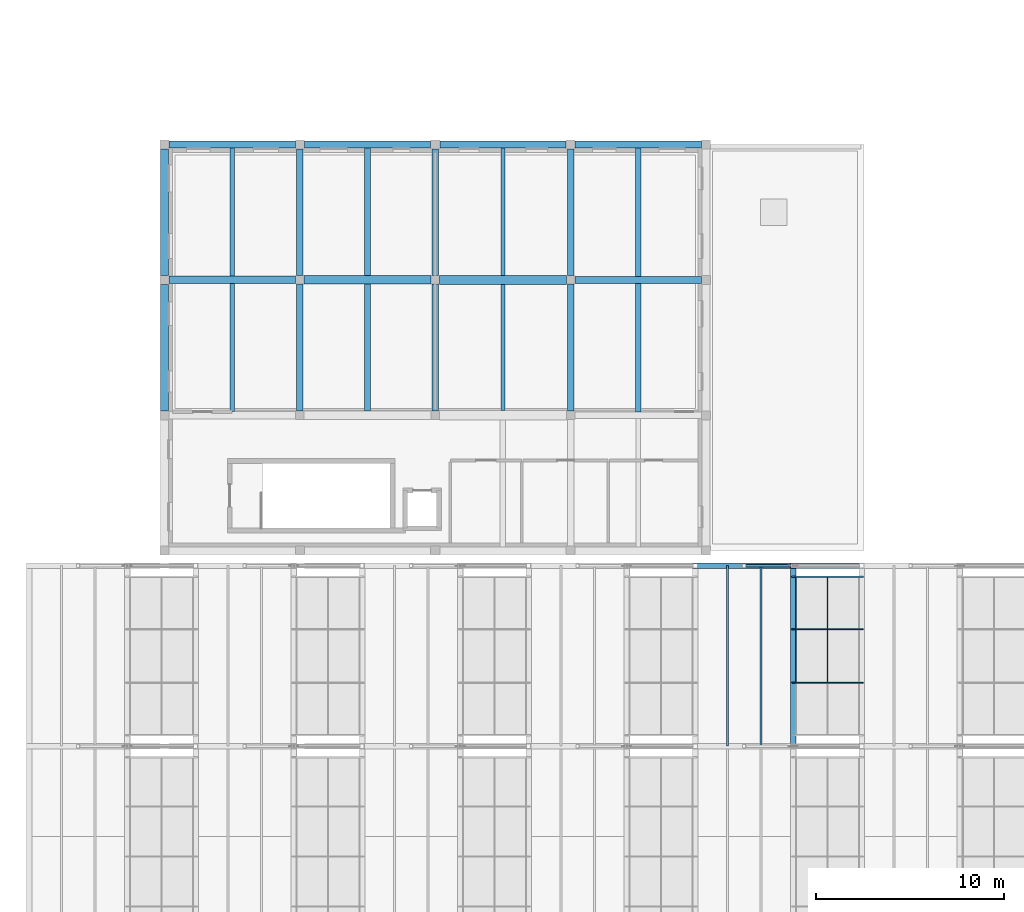
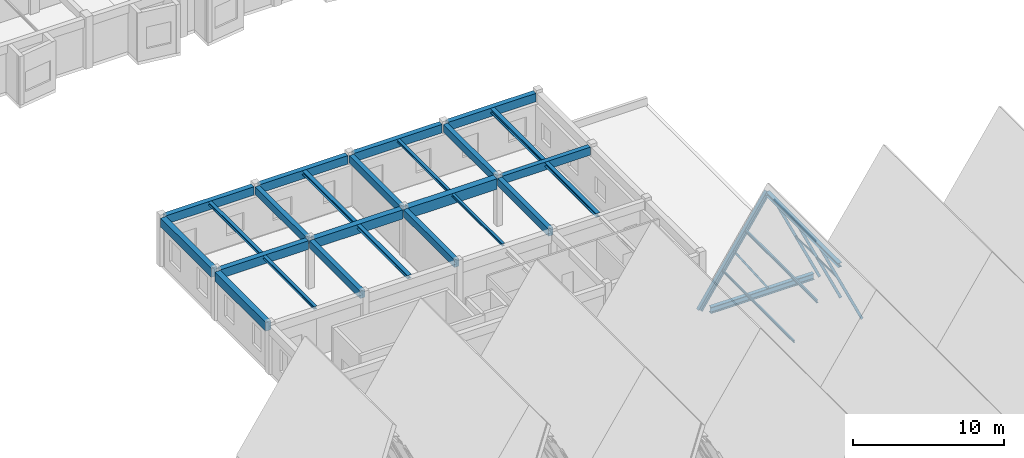
# One storey, part 60 of 99: 26 beams, 11 members, 1 element without a shape of its own.
"""IFC4 building model written with IfcOpenShell, lengths in metres."""

import ifcopenshell
import ifcopenshell.guid

model = None  # the IFC model being written
_history = None  # IfcOwnerHistory: only IFC2X3 demands one
_inside = {}  # id of a spatial element -> (the spatial element, [elements in it])
_under = {}  # id of a project, library or spatial element -> (it, [spatial elements below it])
_declared = {}  # id of a project -> (the project, [libraries it declares])
_typed = {}  # id of a type object -> (the type object, [elements of that type])
_made_of = {}  # id of a material, layer set ... -> (it, [elements and type objects made of it])


def new_model(schema):
    """Start an empty IFC model of exactly this schema.

    Asked for "IFC4X3", IfcOpenShell would pick the latest addendum, in which some entities
    have other attributes; the version numbers below select the first issue.
    IFC2X3 requires an IfcOwnerHistory on every rooted entity: one is made here for all.
    """
    global model, _history
    if schema == "IFC4X3":
        model = ifcopenshell.file(schema_version=(4, 3, 0, 0))
    else:
        model = ifcopenshell.file(schema=schema)
    _inside.clear()
    _under.clear()
    _declared.clear()
    _typed.clear()
    _made_of.clear()
    _history = None
    if model.schema == "IFC2X3":
        org = make("IfcOrganization", Name="unknown")
        user = make(
            "IfcPersonAndOrganization",
            ThePerson=make("IfcPerson", FamilyName="unknown"),
            TheOrganization=org,
        )
        app = make(
            "IfcApplication",
            ApplicationDeveloper=org,
            Version="unknown",
            ApplicationFullName="unknown",
            ApplicationIdentifier="unknown",
        )
        _history = make(
            "IfcOwnerHistory",
            OwningUser=user,
            OwningApplication=app,
            ChangeAction="ADDED",
            CreationDate=0,
        )
    return model


def make(cls, **values):
    """One entity of the class cls with the attributes given. An attribute that is None is left unset."""
    return model.create_entity(
        cls, **{name: value for name, value in values.items() if value is not None}
    )


def rooted(cls, **values):
    """An entity with a GlobalId (a new one), such as an element, a storey or a relation."""
    return make(cls, GlobalId=ifcopenshell.guid.new(), OwnerHistory=_history, **values)


def si_unit(unit_type, name, prefix=None):
    """IfcSIUnit, for example si_unit("LENGTHUNIT", "METRE", prefix="MILLI")."""
    return make("IfcSIUnit", UnitType=unit_type, Prefix=prefix, Name=name)


def assignment(units):
    """IfcUnitAssignment: the units of a project."""
    return None if units is None else make("IfcUnitAssignment", Units=units)


def point(xyz):
    """IfcCartesianPoint."""
    return None if xyz is None else make("IfcCartesianPoint", Coordinates=xyz)


def direction(xyz):
    """IfcDirection."""
    return None if xyz is None else make("IfcDirection", DirectionRatios=xyz)


def frame(location, z_axis=None, x_axis=None):
    """IfcAxis2Placement3D, a coordinate frame: its origin and axes. An axis left out is left unset."""
    return make(
        "IfcAxis2Placement3D",
        Location=point(location),
        Axis=direction(z_axis),
        RefDirection=direction(x_axis),
    )


def frame_2d(location, x_axis=None):
    """IfcAxis2Placement2D, a coordinate frame in the plane: its origin and x axis."""
    return make(
        "IfcAxis2Placement2D", Location=point(location), RefDirection=direction(x_axis)
    )


def origin():
    """The frame at (0, 0, 0) with its axes left unset."""
    return frame((0.0, 0.0, 0.0))


def origin_2d():
    """The frame at (0, 0) in the plane with its x axis left unset."""
    return frame_2d((0.0, 0.0))


def place(relative_to, where):
    """IfcLocalPlacement: puts the frame where relative to a parent placement (None: the world)."""
    return make(
        "IfcLocalPlacement", PlacementRelTo=relative_to, RelativePlacement=where
    )


def context(
    kind, dimensions, precision=None, world=None, true_north=None, identifier=None
):
    """IfcGeometricRepresentationContext, for example the 3D "Model" context."""
    return make(
        "IfcGeometricRepresentationContext",
        ContextIdentifier=identifier,
        ContextType=kind,
        CoordinateSpaceDimension=dimensions,
        Precision=precision,
        WorldCoordinateSystem=world,
        TrueNorth=true_north,
    )


def subcontext(parent, identifier, kind, view, scale=None):
    """IfcGeometricRepresentationSubContext, for example "Body" below "Model"."""
    return make(
        "IfcGeometricRepresentationSubContext",
        ContextIdentifier=identifier,
        ContextType=kind,
        ParentContext=parent,
        TargetScale=scale,
        TargetView=view,
    )


def project(units=None, contexts=None):
    """IfcProject with its units and contexts."""
    return rooted(
        "IfcProject",
        Name="project",
        RepresentationContexts=contexts,
        UnitsInContext=assignment(units),
    )


def spatial(cls, under=None, at=None, **own):
    """A site, building, storey or space (cls), placed at a placement, below another one or the project."""
    s = rooted(cls, ObjectPlacement=at, **own)
    if under is not None:
        _under.setdefault(under.id(), (under, []))[1].append(s)
    return s


def profile(cls, at=None, kind="AREA", **sizes):
    """A parametric profile (cls). Its sizes go by their IFC names, for example OverallWidth=200.0."""
    return make(cls, ProfileType=kind, Position=at, **sizes)


def rectangle(**sizes):
    """IfcRectangleProfileDef."""
    return profile("IfcRectangleProfileDef", **sizes)


def hollow_rectangle(**sizes):
    """IfcRectangleHollowProfileDef."""
    return profile("IfcRectangleHollowProfileDef", **sizes)


def i_section(**sizes):
    """IfcIShapeProfileDef."""
    return profile("IfcIShapeProfileDef", **sizes)


def extrude(swept, where, along, depth):
    """IfcExtrudedAreaSolid: the profile swept, set in the frame where, extruded along a direction by depth."""
    return make(
        "IfcExtrudedAreaSolid",
        SweptArea=swept,
        Position=where,
        ExtrudedDirection=direction(along),
        Depth=depth,
    )


def shape(context_of_items, identifier, shape_type, items):
    """IfcShapeRepresentation: the items that make up one representation, for example the "Body"."""
    return make(
        "IfcShapeRepresentation",
        ContextOfItems=context_of_items,
        RepresentationIdentifier=identifier,
        RepresentationType=shape_type,
        Items=items,
    )


def material(Name=None, Category=None):
    """IfcMaterial."""
    return make("IfcMaterial", Name=Name, Category=Category)


def material_profile(
    of_material, cross_section, Name=None, Category=None, Priority=None
):
    """IfcMaterialProfile: a cross section and its material."""
    return make(
        "IfcMaterialProfile",
        Name=Name,
        Material=of_material,
        Profile=cross_section,
        Priority=Priority,
        Category=Category,
    )


def profile_set(profiles, Name=None, composite=None):
    """IfcMaterialProfileSet."""
    return make(
        "IfcMaterialProfileSet",
        Name=Name,
        MaterialProfiles=profiles,
        CompositeProfile=composite,
    )


def made_of(thing, what):
    """Note that an element or type object is made of a material, layer set ...; save() writes the relation."""
    if what is not None:
        _made_of.setdefault(what.id(), (what, []))[1].append(thing)
    return thing


def type_object(cls, material=None, **own):
    """A type object (cls), such as IfcWallType, which elements share."""
    return made_of(rooted(cls, **own), material)


def element(
    cls,
    number,
    at=None,
    inside=None,
    cuts=None,
    type_object=None,
    material=None,
    context=None,
    identifier="Body",
    shape_type=None,
    held_by="IfcProductDefinitionShape",
    body=None,
    shapes=None,
    **own,
):
    """One element of the class cls, such as IfcWall. Its Tag is "e" and its number.

    at: its placement. inside: the storey or other place that contains it. cuts: it is an
    opening in that element (IfcRelVoidsElement). A single representation is given by context,
    identifier, shape_type and body (its items); several are given by shapes. held_by: the class
    of the entity that holds the representations. save() writes the other relations.
    """
    e = rooted(cls, Tag="e%d" % number, ObjectPlacement=at, **own)
    if body is not None:
        shapes = [shape(context, identifier, shape_type, body)]
    if shapes is not None:
        e.Representation = make(held_by, Representations=shapes)
    if inside is not None:
        _inside.setdefault(inside.id(), (inside, []))[1].append(e)
    if cuts is not None:
        rooted(
            "IfcRelVoidsElement", RelatingBuildingElement=cuts, RelatedOpeningElement=e
        )
    if type_object is not None:
        _typed.setdefault(type_object.id(), (type_object, []))[1].append(e)
    return made_of(e, material)


def aggregate(whole, parts):
    """IfcRelAggregates: a whole, such as a stair, and the parts it consists of."""
    return rooted("IfcRelAggregates", RelatingObject=whole, RelatedObjects=parts)


def save(model, path):
    """Write the relations noted so far, then the file.

    IfcRelAggregates (storeys below a building ...), IfcRelContainedInSpatialStructure (elements
    in a storey), IfcRelDefinesByType, IfcRelAssociatesMaterial and IfcRelDeclares: one each for
    every whole, place, type object, material and project.
    """
    for whole, parts in _under.values():
        aggregate(whole, parts)
    for where, things in _inside.values():
        rooted(
            "IfcRelContainedInSpatialStructure",
            RelatedElements=things,
            RelatingStructure=where,
        )
    for kind, things in _typed.values():
        rooted("IfcRelDefinesByType", RelatedObjects=things, RelatingType=kind)
    for what, things in _made_of.values():
        rooted("IfcRelAssociatesMaterial", RelatedObjects=things, RelatingMaterial=what)
    for by, libraries in _declared.values():
        rooted("IfcRelDeclares", RelatingContext=by, RelatedDefinitions=libraries)
    model.write(path)


model = new_model("IFC4")

# Units and contexts
model_context = context("Model", 3, precision=1e-05, world=origin(), true_north=direction((0.0, 1.0)))
body_context = subcontext(model_context, "Body", "Model", "MODEL_VIEW")
ifc_project = project(units=[si_unit("LENGTHUNIT", "METRE"), si_unit("AREAUNIT", "SQUARE_METRE"), si_unit("VOLUMEUNIT", "CUBIC_METRE"), si_unit("PLANEANGLEUNIT", "RADIAN"), si_unit("MASSUNIT", "GRAM", prefix="KILO")], contexts=[model_context])

# Site, building, storey
site_placement = place(None, origin())
site = spatial("IfcSite", under=ifc_project, at=site_placement, CompositionType="ELEMENT")
building_placement = place(site_placement, origin())
building = spatial("IfcBuilding", under=site, at=building_placement, Name="Bramveld Media Centre", CompositionType="ELEMENT")
storey_placement = place(building_placement, frame((0.0, 0.0, 13.800048828125)))
storey = spatial("IfcBuildingStorey", under=building, at=storey_placement, Name="L03", CompositionType="ELEMENT", Elevation=13.800048828125)

# Beams
ifc_material_1 = material(Name="Concrete C40/50", Category="concrete")
ifc_material_profile_1 = material_profile(ifc_material_1, rectangle(XDim=0.35009765625, YDim=0.60009765625, at=origin_2d()), Name="RC 350x600")
ifc_profile_set_1 = profile_set([ifc_material_profile_1], Name="Concrete C40/50")
beam_type_1 = type_object("IfcBeamType", Name="BM-INT-RC-350x600", PredefinedType="BEAM", material=ifc_profile_set_1)
beam_1_placement = place(storey_placement, frame((138.39990234375, 46.625, 3.659912109375), z_axis=(0.0, 1.0, 0.0), x_axis=(-1.0, 0.0, 0.0)))
element("IfcBeam", 1, at=beam_1_placement, inside=storey, type_object=beam_type_1, Name="V4 L03 girder Y-634", PredefinedType="BEAM", context=body_context, shape_type="SweptSolid", body=[
    extrude(rectangle(XDim=0.35009765625, YDim=0.60009765625, at=origin_2d()), origin(), (0.0, 0.0, 1.0), 6.75),
])
beam_2_placement = place(storey_placement, frame((138.39990234375, 53.824951171875, 3.659912109375), z_axis=(0.0, 1.0, 0.0), x_axis=(-1.0, 0.0, 0.0)))
element("IfcBeam", 2, at=beam_2_placement, inside=storey, type_object=beam_type_1, Name="V4 L03 girder Y-635", PredefinedType="BEAM", context=body_context, shape_type="SweptSolid", body=[
    extrude(rectangle(XDim=0.35009765625, YDim=0.60009765625, at=origin_2d()), origin(), (0.0, 0.0, 1.0), 6.735107421875),
])
beam_3_placement = place(storey_placement, frame((145.60009765625, 46.625, 3.659912109375), z_axis=(0.0, 1.0, 0.0), x_axis=(-1.0, 0.0, 0.0)))
element("IfcBeam", 3, at=beam_3_placement, inside=storey, type_object=beam_type_1, Name="V4 L03 girder Y-636", PredefinedType="BEAM", context=body_context, shape_type="SweptSolid", body=[
    extrude(rectangle(XDim=0.35009765625, YDim=0.60009765625, at=origin_2d()), origin(), (0.0, 0.0, 1.0), 6.75),
])
beam_4_placement = place(storey_placement, frame((145.60009765625, 53.824951171875, 3.659912109375), z_axis=(0.0, 1.0, 0.0), x_axis=(-1.0, 0.0, 0.0)))
element("IfcBeam", 4, at=beam_4_placement, inside=storey, type_object=beam_type_1, Name="V4 L03 girder Y-637", PredefinedType="BEAM", context=body_context, shape_type="SweptSolid", body=[
    extrude(rectangle(XDim=0.35009765625, YDim=0.60009765625, at=origin_2d()), origin(), (0.0, 0.0, 1.0), 6.735107421875),
])
beam_5_placement = place(storey_placement, frame((152.800048828125, 46.625, 3.659912109375), z_axis=(0.0, 1.0, 0.0), x_axis=(-1.0, 0.0, 0.0)))
element("IfcBeam", 5, at=beam_5_placement, inside=storey, type_object=beam_type_1, Name="V4 L03 girder Y-639", PredefinedType="BEAM", context=body_context, shape_type="SweptSolid", body=[
    extrude(rectangle(XDim=0.35009765625, YDim=0.60009765625, at=origin_2d()), origin(), (0.0, 0.0, 1.0), 6.75),
])
beam_6_placement = place(storey_placement, frame((152.800048828125, 53.824951171875, 3.659912109375), z_axis=(0.0, 1.0, 0.0), x_axis=(-1.0, 0.0, 0.0)))
element("IfcBeam", 6, at=beam_6_placement, inside=storey, type_object=beam_type_1, Name="V4 L03 girder Y-640", PredefinedType="BEAM", context=body_context, shape_type="SweptSolid", body=[
    extrude(rectangle(XDim=0.35009765625, YDim=0.60009765625, at=origin_2d()), origin(), (0.0, 0.0, 1.0), 6.735107421875),
])
ifc_material_2 = material(Name="Concrete C40/50", Category="concrete")
ifc_material_profile_2 = material_profile(ifc_material_2, rectangle(XDim=0.35009765625, YDim=0.64990234375, at=origin_2d()), Name="RC 350x650")
ifc_profile_set_2 = profile_set([ifc_material_profile_2], Name="Concrete C40/50")
beam_type_2 = type_object("IfcBeamType", Name="BM-INT-RC-350x650", PredefinedType="BEAM", material=ifc_profile_set_2)
beam_7_placement = place(storey_placement, frame((153.02490234375, 53.60009765625, 3.635009765625), z_axis=(1.0, 0.0, 0.0), x_axis=(0.0, 1.0, 0.0)))
element("IfcBeam", 7, at=beam_7_placement, inside=storey, type_object=beam_type_2, Name="V4 L03 girder X-626", PredefinedType="BEAM", context=body_context, shape_type="SweptSolid", body=[
    extrude(rectangle(XDim=0.35009765625, YDim=0.64990234375, at=origin_2d()), origin(), (0.0, 0.0, 1.0), 6.735107421875),
])
ifc_material_3 = material(Name="Concrete C40/50", Category="concrete")
ifc_material_profile_3 = material_profile(ifc_material_3, rectangle(XDim=0.39990234375, YDim=0.699951171875, at=origin_2d()), Name="RC 400x700")
ifc_profile_set_3 = profile_set([ifc_material_profile_3], Name="Concrete C40/50")
beam_type_3 = type_object("IfcBeamType", Name="BM-INT-RC-400x700", PredefinedType="BEAM", material=ifc_profile_set_3)
beam_8_placement = place(storey_placement, frame((131.43994140625, 53.60009765625, 3.60986328125), z_axis=(1.0, 0.0, 0.0), x_axis=(0.0, 1.0, 0.0)))
element("IfcBeam", 8, at=beam_8_placement, inside=storey, type_object=beam_type_3, Name="V4 L03 girder X-623", PredefinedType="BEAM", context=body_context, shape_type="SweptSolid", body=[
    extrude(rectangle(XDim=0.39990234375, YDim=0.699951171875, at=origin_2d()), origin(), (0.0, 0.0, 1.0), 6.735107421875),
])
ifc_material_4 = material(Name="Concrete C40/50", Category="concrete")
ifc_material_profile_4 = material_profile(ifc_material_4, rectangle(XDim=0.449951171875, YDim=0.75, at=origin_2d()), Name="RC 450x750")
ifc_profile_set_4 = profile_set([ifc_material_profile_4], Name="Concrete C40/50")
beam_type_4 = type_object("IfcBeamType", Name="BM-INT-RC-450x750", PredefinedType="BEAM", material=ifc_profile_set_4)
beam_9_placement = place(storey_placement, frame((138.625, 53.60009765625, 3.5849609375), z_axis=(1.0, 0.0, 0.0), x_axis=(0.0, 1.0, 0.0)))
element("IfcBeam", 9, at=beam_9_placement, inside=storey, type_object=beam_type_4, Name="V4 L03 girder X-624", PredefinedType="BEAM", context=body_context, shape_type="SweptSolid", body=[
    extrude(rectangle(XDim=0.449951171875, YDim=0.75, at=origin_2d()), origin(), (0.0, 0.0, 1.0), 6.75),
])
ifc_material_5 = material(Name="Concrete C40/50", Category="concrete")
ifc_material_profile_5 = material_profile(ifc_material_5, rectangle(XDim=0.5, YDim=0.85009765625, at=origin_2d()), Name="RC 500x850")
ifc_profile_set_5 = profile_set([ifc_material_profile_5], Name="Concrete C40/50")
beam_type_5 = type_object("IfcBeamType", Name="BM-INT-RC-500x850", PredefinedType="BEAM", material=ifc_profile_set_5)
beam_10_placement = place(storey_placement, frame((145.824951171875, 53.60009765625, 3.534912109375), z_axis=(1.0, 0.0, 0.0), x_axis=(0.0, 1.0, 0.0)))
element("IfcBeam", 10, at=beam_10_placement, inside=storey, type_object=beam_type_5, Name="V4 L03 girder X-625", PredefinedType="BEAM", context=body_context, shape_type="SweptSolid", body=[
    extrude(rectangle(XDim=0.5, YDim=0.85009765625, at=origin_2d()), origin(), (0.0, 0.0, 1.0), 6.75),
])

# Curtain wall, members
ifc_material_6 = material(Name="Thermally broken anodized bronze aluminium unitized curtain wall with solar-control triple glazing", Category="aluminium")
curtain_wall_type = type_object("IfcCurtainWallType", Name="CW-SAW-8500x8606", PredefinedType="NOTDEFINED", material=ifc_material_6)
curtain_wall_placement = place(storey_placement, origin())
curtain_wall = element("IfcCurtainWall", 11, at=curtain_wall_placement, inside=storey, type_object=curtain_wall_type, Name="V1 sawtooth north-light clerestory B5-S3", PredefinedType="NOTDEFINED")
ifc_material_7 = material(Name="Thermally broken anodized bronze aluminium EN AW-6063 T6 curtain-wall framing", Category="aluminium")
ifc_material_profile_6 = material_profile(ifc_material_7, hollow_rectangle(XDim=0.070068359375, YDim=0.199951171875, WallThickness=0.00439453125, InnerFilletRadius=0.00439453125, OuterFilletRadius=0.009033203125, at=origin_2d()), Name="AL-MULL 70x200")
ifc_profile_set_6 = profile_set([ifc_material_profile_6], Name="Thermally broken anodized bronze aluminium EN AW-6063 T6 curtain-wall framing")
member_type_1 = type_object("IfcMemberType", Name="CW-MULL-SLP", PredefinedType="MULLION", material=ifc_profile_set_6)
member_1_placement = place(storey_placement, frame((168.28564453125, 32.183349609375, -0.02001953125), z_axis=(-0.423956992265, 0.0, 0.90568232218), x_axis=(0.0, -1.0, 0.0)))
member_1 = element("IfcMember", 12, at=member_1_placement, type_object=member_type_1, Name="CW-SA-8586 sloped mullion 2", PredefinedType="MULLION", context=body_context, shape_type="SweptSolid", body=[
    extrude(hollow_rectangle(XDim=0.070068359375, YDim=0.199951171875, WallThickness=0.00439453125, InnerFilletRadius=0.00439453125, OuterFilletRadius=0.009033203125, at=origin_2d()), origin(), (0.0, 0.0, 1.0), 8.5791015625),
])
member_2_placement = place(storey_placement, frame((168.28564453125, 35.0166015625, -0.02001953125), z_axis=(-0.423956992265, 0.0, 0.90568232218), x_axis=(0.0, -1.0, 0.0)))
member_2 = element("IfcMember", 13, at=member_2_placement, type_object=member_type_1, Name="CW-SA-8586 sloped mullion 3", PredefinedType="MULLION", context=body_context, shape_type="SweptSolid", body=[
    extrude(hollow_rectangle(XDim=0.070068359375, YDim=0.199951171875, WallThickness=0.00439453125, InnerFilletRadius=0.00439453125, OuterFilletRadius=0.009033203125, at=origin_2d()), origin(), (0.0, 0.0, 1.0), 8.5791015625),
])
member_3_placement = place(storey_placement, frame((168.28564453125, 37.81494140625, -0.02001953125), z_axis=(-0.423956992265, 0.0, 0.90568232218), x_axis=(0.0, -1.0, 0.0)))
member_3 = element("IfcMember", 14, at=member_3_placement, type_object=member_type_1, Name="CW-SA-8586 sloped mullion 4", PredefinedType="MULLION", context=body_context, shape_type="SweptSolid", body=[
    extrude(hollow_rectangle(XDim=0.070068359375, YDim=0.199951171875, WallThickness=0.00439453125, InnerFilletRadius=0.00439453125, OuterFilletRadius=0.009033203125, at=origin_2d()), origin(), (0.0, 0.0, 1.0), 8.5791015625),
])
ifc_material_8 = material(Name="Thermally broken anodized bronze aluminium EN AW-6063 T6 curtain-wall framing", Category="aluminium")
ifc_material_profile_7 = material_profile(ifc_material_8, hollow_rectangle(XDim=0.070068359375, YDim=0.14990234375, WallThickness=0.00390625, InnerFilletRadius=0.00390625, OuterFilletRadius=0.008056640625, at=origin_2d()), Name="AL-TRAN 70x150")
ifc_profile_set_7 = profile_set([ifc_material_profile_7], Name="Thermally broken anodized bronze aluminium EN AW-6063 T6 curtain-wall framing")
member_type_2 = type_object("IfcMemberType", Name="CW-TRAN-SLP", PredefinedType="USERDEFINED", material=ifc_profile_set_7)
member_4_placement = place(storey_placement, frame((166.467041015625, 32.21826171875, 3.864990234375), z_axis=(0.0, 1.0, 0.0), x_axis=(-1.0, 0.0, 0.0)))
member_4 = element("IfcMember", 15, at=member_4_placement, type_object=member_type_2, Name="CW-SA-8586 transom 2.2", ObjectType="TRANSOM", PredefinedType="USERDEFINED", context=body_context, shape_type="SweptSolid", body=[
    extrude(hollow_rectangle(XDim=0.070068359375, YDim=0.14990234375, WallThickness=0.00390625, InnerFilletRadius=0.00390625, OuterFilletRadius=0.008056640625, at=origin_2d()), origin(), (0.0, 0.0, 1.0), 2.763427734375),
])
member_5_placement = place(storey_placement, frame((164.7939453125, 32.21826171875, 7.439208984375), z_axis=(0.0, 1.0, 0.0), x_axis=(-1.0, 0.0, 0.0)))
member_5 = element("IfcMember", 16, at=member_5_placement, type_object=member_type_2, Name="CW-SA-8586 transom 2.3", ObjectType="TRANSOM", PredefinedType="USERDEFINED", context=body_context, shape_type="SweptSolid", body=[
    extrude(hollow_rectangle(XDim=0.070068359375, YDim=0.14990234375, WallThickness=0.00390625, InnerFilletRadius=0.00390625, OuterFilletRadius=0.008056640625, at=origin_2d()), origin(), (0.0, 0.0, 1.0), 2.763427734375),
])
member_6_placement = place(storey_placement, frame((166.467041015625, 35.0517578125, 3.864990234375), z_axis=(0.0, 1.0, 0.0), x_axis=(-1.0, 0.0, 0.0)))
member_6 = element("IfcMember", 17, at=member_6_placement, type_object=member_type_2, Name="CW-SA-8586 transom 3.2", ObjectType="TRANSOM", PredefinedType="USERDEFINED", context=body_context, shape_type="SweptSolid", body=[
    extrude(hollow_rectangle(XDim=0.070068359375, YDim=0.14990234375, WallThickness=0.00390625, InnerFilletRadius=0.00390625, OuterFilletRadius=0.008056640625, at=origin_2d()), origin(), (0.0, 0.0, 1.0), 2.728271484375),
])
member_7_placement = place(storey_placement, frame((164.7939453125, 35.0517578125, 7.439208984375), z_axis=(0.0, 1.0, 0.0), x_axis=(-1.0, 0.0, 0.0)))
member_7 = element("IfcMember", 18, at=member_7_placement, type_object=member_type_2, Name="CW-SA-8586 transom 3.3", ObjectType="TRANSOM", PredefinedType="USERDEFINED", context=body_context, shape_type="SweptSolid", body=[
    extrude(hollow_rectangle(XDim=0.070068359375, YDim=0.14990234375, WallThickness=0.00390625, InnerFilletRadius=0.00390625, OuterFilletRadius=0.008056640625, at=origin_2d()), origin(), (0.0, 0.0, 1.0), 2.728271484375),
])
aggregate(curtain_wall, [member_1, member_2, member_3, member_4, member_5, member_6, member_7])

# Members
ifc_material_9 = material(Name="Steel S355J2H", Category="steel")
ifc_material_profile_8 = material_profile(ifc_material_9, hollow_rectangle(XDim=0.14990234375, YDim=0.14990234375, WallThickness=0.010009765625, InnerFilletRadius=0.010009765625, OuterFilletRadius=0.02001953125, at=origin_2d()), Name="SHS 150x150x10")
ifc_profile_set_8 = profile_set([ifc_material_profile_8], Name="Steel S355J2H")
member_type_3 = type_object("IfcMemberType", Name="MEM-BRACE-SHS150", PredefinedType="BRACE", material=ifc_profile_set_8)
member_8_placement = place(storey_placement, frame((164.6484375, 38.39990234375, 0.0), z_axis=(-0.55616408489, 0.0, 0.83107250627), x_axis=(0.0, -1.0, 0.0)))
element("IfcMember", 19, at=member_8_placement, inside=storey, type_object=member_type_3, Name="TRUSS-V1-B05-F5 web diagonal", PredefinedType="BRACE", context=body_context, shape_type="SweptSolid", body=[
    extrude(hollow_rectangle(XDim=0.14990234375, YDim=0.14990234375, WallThickness=0.010009765625, InnerFilletRadius=0.010009765625, OuterFilletRadius=0.02001953125, at=origin_2d()), origin(), (0.0, 0.0, 1.0), 4.692626953125),
])
ifc_material_10 = material(Name="Steel S355J2", Category="steel")
ifc_material_profile_9 = material_profile(ifc_material_10, i_section(OverallWidth=0.300048828125, OverallDepth=0.340087890625, WebThickness=0.011962890625, FlangeThickness=0.021484375, FilletRadius=0.027099609375, at=origin_2d()), Name="HEB 340")
ifc_profile_set_9 = profile_set([ifc_material_profile_9], Name="Steel S355J2")
member_type_4 = type_object("IfcMemberType", Name="MEM-CHORD-HEB340", PredefinedType="CHORD", material=ifc_profile_set_9)
member_9_placement = place(storey_placement, frame((159.4287109375, 38.39990234375, 0.0), z_axis=(0.55615206142, 0.0, 0.8310805524), x_axis=(0.0, 1.0, 0.0)))
element("IfcMember", 20, at=member_9_placement, inside=storey, type_object=member_type_4, Name="TRUSS-V1-B05-F5 top rafter chord", PredefinedType="CHORD", context=body_context, shape_type="SweptSolid", body=[
    extrude(i_section(OverallWidth=0.300048828125, OverallDepth=0.340087890625, WebThickness=0.011962890625, FlangeThickness=0.021484375, FilletRadius=0.027099609375, at=origin_2d()), origin(), (0.0, 0.0, 1.0), 9.385498046875),
])
ifc_material_11 = material(Name="Steel S355J2", Category="steel")
ifc_material_profile_10 = material_profile(ifc_material_11, i_section(OverallWidth=0.10009765625, OverallDepth=0.199951171875, WebThickness=0.005615234375, FlangeThickness=0.008544921875, FilletRadius=0.011962890625, at=origin_2d()), Name="IPE 200")
ifc_profile_set_10 = profile_set([ifc_material_profile_10], Name="Steel S355J2")
member_type_5 = type_object("IfcMemberType", Name="MEM-PURLIN-IPE200", PredefinedType="PURLIN", material=ifc_profile_set_10)
member_10_placement = place(storey_placement, frame((161.151123046875, 28.800048828125, 2.666259765625), z_axis=(0.0, 1.0, 0.0), x_axis=(-1.0, 0.0, 0.0)))
element("IfcMember", 21, at=member_10_placement, inside=storey, type_object=member_type_5, Name="V1 roof purlin", PredefinedType="PURLIN", context=body_context, shape_type="SweptSolid", body=[
    extrude(i_section(OverallWidth=0.10009765625, OverallDepth=0.199951171875, WebThickness=0.005615234375, FlangeThickness=0.008544921875, FilletRadius=0.011962890625, at=origin_2d()), origin(), (0.0, 0.0, 1.0), 9.599853515625),
])
ifc_material_12 = material(Name="Steel S355J2", Category="steel")
ifc_material_profile_11 = material_profile(ifc_material_12, i_section(OverallWidth=0.1201171875, OverallDepth=0.239990234375, WebThickness=0.006103515625, FlangeThickness=0.009765625, FilletRadius=0.014892578125, at=origin_2d()), Name="IPE 240")
ifc_profile_set_11 = profile_set([ifc_material_profile_11], Name="Steel S355J2")
member_type_6 = type_object("IfcMemberType", Name="MEM-PURLIN-IPE240", PredefinedType="PURLIN", material=ifc_profile_set_11)
member_11_placement = place(storey_placement, frame((162.92578125, 28.800048828125, 5.283447265625), z_axis=(0.0, 1.0, 0.0), x_axis=(-1.0, 0.0, 0.0)))
element("IfcMember", 22, at=member_11_placement, inside=storey, type_object=member_type_6, Name="V1 roof purlin", PredefinedType="PURLIN", context=body_context, shape_type="SweptSolid", body=[
    extrude(i_section(OverallWidth=0.1201171875, OverallDepth=0.239990234375, WebThickness=0.006103515625, FlangeThickness=0.009765625, FilletRadius=0.014892578125, at=origin_2d()), origin(), (0.0, 0.0, 1.0), 9.599853515625),
])

# Beams
ifc_material_13 = material(Name="Steel S355J2", Category="steel")
ifc_material_profile_12 = material_profile(ifc_material_13, i_section(OverallWidth=0.300048828125, OverallDepth=0.5, WebThickness=0.014404296875, FlangeThickness=0.028076171875, FilletRadius=0.027099609375, at=origin_2d()), Name="HEB 500")
ifc_profile_set_12 = profile_set([ifc_material_profile_12], Name="Steel S355J2")
beam_type_6 = type_object("IfcBeamType", Name="SBM-EXT-HEB-500", PredefinedType="BEAM", material=ifc_profile_set_12)
beam_11_placement = place(storey_placement, frame((160.25, 38.39990234375, -0.25), z_axis=(1.0, 0.0, 0.0), x_axis=(0.0, 1.0, 0.0)))
element("IfcBeam", 23, at=beam_11_placement, inside=storey, type_object=beam_type_6, Name="V1 sawtooth tie girder", PredefinedType="BEAM", context=body_context, shape_type="SweptSolid", body=[
    extrude(i_section(OverallWidth=0.300048828125, OverallDepth=0.5, WebThickness=0.014404296875, FlangeThickness=0.028076171875, FilletRadius=0.027099609375, at=origin_2d()), origin(), (0.0, 0.0, 1.0), 7.89990234375),
])
ifc_material_14 = material(Name="Steel S355J2", Category="steel")
ifc_material_profile_13 = material_profile(ifc_material_14, i_section(OverallWidth=0.239990234375, OverallDepth=0.22998046875, WebThickness=0.007568359375, FlangeThickness=0.011962890625, FilletRadius=0.02099609375, at=origin_2d()), Name="HEA 240")
ifc_profile_set_13 = profile_set([ifc_material_profile_13], Name="Steel S355J2")
beam_type_7 = type_object("IfcBeamType", Name="SBM-INT-HEA-240", PredefinedType="BEAM", material=ifc_profile_set_13)
beam_12_placement = place(storey_placement, frame((134.800048828125, 46.60009765625, 3.844970703125), z_axis=(0.0, 1.0, 0.0), x_axis=(-1.0, 0.0, 0.0)))
element("IfcBeam", 24, at=beam_12_placement, inside=storey, type_object=beam_type_7, Name="V4 L03 secondary floor joist 644", PredefinedType="BEAM", context=body_context, shape_type="SweptSolid", body=[
    extrude(i_section(OverallWidth=0.239990234375, OverallDepth=0.22998046875, WebThickness=0.007568359375, FlangeThickness=0.011962890625, FilletRadius=0.02099609375, at=origin_2d()), origin(), (0.0, 0.0, 1.0), 6.7998046875),
])
ifc_material_15 = material(Name="Steel S355J2", Category="steel")
ifc_material_profile_14 = material_profile(ifc_material_15, i_section(OverallWidth=0.260009765625, OverallDepth=0.25, WebThickness=0.007568359375, FlangeThickness=0.012451171875, FilletRadius=0.02392578125, at=origin_2d()), Name="HEA 260")
ifc_profile_set_14 = profile_set([ifc_material_profile_14], Name="Steel S355J2")
beam_type_8 = type_object("IfcBeamType", Name="SBM-INT-HEA-260", PredefinedType="BEAM", material=ifc_profile_set_14)
beam_13_placement = place(storey_placement, frame((134.800048828125, 53.800048828125, 3.8349609375), z_axis=(0.0, 1.0, 0.0), x_axis=(-1.0, 0.0, 0.0)))
element("IfcBeam", 25, at=beam_13_placement, inside=storey, type_object=beam_type_8, Name="V4 L03 secondary floor joist 645", PredefinedType="BEAM", context=body_context, shape_type="SweptSolid", body=[
    extrude(i_section(OverallWidth=0.260009765625, OverallDepth=0.25, WebThickness=0.007568359375, FlangeThickness=0.012451171875, FilletRadius=0.02392578125, at=origin_2d()), origin(), (0.0, 0.0, 1.0), 6.81005859375),
])
ifc_material_16 = material(Name="Steel S355J2", Category="steel")
ifc_material_profile_15 = material_profile(ifc_material_16, i_section(OverallWidth=0.300048828125, OverallDepth=0.2900390625, WebThickness=0.008544921875, FlangeThickness=0.013916015625, FilletRadius=0.027099609375, at=origin_2d()), Name="HEA 300")
ifc_profile_set_15 = profile_set([ifc_material_profile_15], Name="Steel S355J2")
beam_type_9 = type_object("IfcBeamType", Name="SBM-INT-HEA-300", PredefinedType="BEAM", material=ifc_profile_set_15)
beam_14_placement = place(storey_placement, frame((142.0, 46.625, 3.81494140625), z_axis=(0.0, 1.0, 0.0), x_axis=(-1.0, 0.0, 0.0)))
element("IfcBeam", 26, at=beam_14_placement, inside=storey, type_object=beam_type_9, Name="V4 L03 secondary floor joist 646", PredefinedType="BEAM", context=body_context, shape_type="SweptSolid", body=[
    extrude(i_section(OverallWidth=0.300048828125, OverallDepth=0.2900390625, WebThickness=0.008544921875, FlangeThickness=0.013916015625, FilletRadius=0.027099609375, at=origin_2d()), origin(), (0.0, 0.0, 1.0), 6.75),
])
ifc_material_17 = material(Name="Steel S355J2", Category="steel")
ifc_material_profile_16 = material_profile(ifc_material_17, i_section(OverallWidth=0.300048828125, OverallDepth=0.31005859375, WebThickness=0.009033203125, FlangeThickness=0.015380859375, FilletRadius=0.027099609375, at=origin_2d()), Name="HEA 320")
ifc_profile_set_16 = profile_set([ifc_material_profile_16], Name="Steel S355J2")
beam_type_10 = type_object("IfcBeamType", Name="SBM-INT-HEA-320", PredefinedType="BEAM", material=ifc_profile_set_16)
beam_15_placement = place(storey_placement, frame((142.0, 53.824951171875, 3.804931640625), z_axis=(0.0, 1.0, 0.0), x_axis=(-1.0, 0.0, 0.0)))
element("IfcBeam", 27, at=beam_15_placement, inside=storey, type_object=beam_type_10, Name="V4 L03 secondary floor joist 647", PredefinedType="BEAM", context=body_context, shape_type="SweptSolid", body=[
    extrude(i_section(OverallWidth=0.300048828125, OverallDepth=0.31005859375, WebThickness=0.009033203125, FlangeThickness=0.015380859375, FilletRadius=0.027099609375, at=origin_2d()), origin(), (0.0, 0.0, 1.0), 6.78515625),
])
ifc_material_18 = material(Name="Steel S355J2", Category="steel")
ifc_material_profile_17 = material_profile(ifc_material_18, i_section(OverallWidth=0.300048828125, OverallDepth=0.330078125, WebThickness=0.009521484375, FlangeThickness=0.0166015625, FilletRadius=0.027099609375, at=origin_2d()), Name="HEA 340")
ifc_profile_set_17 = profile_set([ifc_material_profile_17], Name="Steel S355J2")
beam_type_11 = type_object("IfcBeamType", Name="SBM-INT-HEA-340", PredefinedType="BEAM", material=ifc_profile_set_17)
beam_16_placement = place(storey_placement, frame((164.6484375, 28.800048828125, 7.635009765625), z_axis=(0.0, 1.0, 0.0), x_axis=(-1.0, 0.0, 0.0)))
element("IfcBeam", 28, at=beam_16_placement, inside=storey, type_object=beam_type_11, Name="V1 ridge spine beam", PredefinedType="BEAM", context=body_context, shape_type="SweptSolid", body=[
    extrude(i_section(OverallWidth=0.300048828125, OverallDepth=0.330078125, WebThickness=0.009521484375, FlangeThickness=0.0166015625, FilletRadius=0.027099609375, at=origin_2d()), origin(), (0.0, 0.0, 1.0), 9.599853515625),
])
ifc_material_19 = material(Name="Steel S355J2", Category="steel")
ifc_material_profile_18 = material_profile(ifc_material_19, i_section(OverallWidth=0.199951171875, OverallDepth=0.199951171875, WebThickness=0.009033203125, FlangeThickness=0.014892578125, FilletRadius=0.01806640625, at=origin_2d()), Name="HEB 200")
ifc_profile_set_18 = profile_set([ifc_material_profile_18], Name="Steel S355J2")
beam_type_12 = type_object("IfcBeamType", Name="SBM-INT-HEB-200", PredefinedType="BEAM", material=ifc_profile_set_18)
beam_17_placement = place(storey_placement, frame((149.199951171875, 46.64990234375, 3.85986328125), z_axis=(0.0, 1.0, 0.0), x_axis=(-1.0, 0.0, 0.0)))
element("IfcBeam", 29, at=beam_17_placement, inside=storey, type_object=beam_type_12, Name="V4 L03 secondary floor joist 649", PredefinedType="BEAM", context=body_context, shape_type="SweptSolid", body=[
    extrude(i_section(OverallWidth=0.199951171875, OverallDepth=0.199951171875, WebThickness=0.009033203125, FlangeThickness=0.014892578125, FilletRadius=0.01806640625, at=origin_2d()), origin(), (0.0, 0.0, 1.0), 6.7001953125),
])
ifc_material_20 = material(Name="Steel S355J2", Category="steel")
ifc_material_profile_19 = material_profile(ifc_material_20, i_section(OverallWidth=0.219970703125, OverallDepth=0.219970703125, WebThickness=0.009521484375, FlangeThickness=0.01611328125, FilletRadius=0.01806640625, at=origin_2d()), Name="HEB 220")
ifc_profile_set_19 = profile_set([ifc_material_profile_19], Name="Steel S355J2")
beam_type_13 = type_object("IfcBeamType", Name="SBM-INT-HEB-220", PredefinedType="BEAM", material=ifc_profile_set_19)
beam_18_placement = place(storey_placement, frame((149.199951171875, 53.85009765625, 3.849853515625), z_axis=(0.0, 1.0, 0.0), x_axis=(-1.0, 0.0, 0.0)))
element("IfcBeam", 30, at=beam_18_placement, inside=storey, type_object=beam_type_13, Name="V4 L03 secondary floor joist 650", PredefinedType="BEAM", context=body_context, shape_type="SweptSolid", body=[
    extrude(i_section(OverallWidth=0.219970703125, OverallDepth=0.219970703125, WebThickness=0.009521484375, FlangeThickness=0.01611328125, FilletRadius=0.01806640625, at=origin_2d()), origin(), (0.0, 0.0, 1.0), 6.760009765625),
])
ifc_material_21 = material(Name="Steel S355J2", Category="steel")
ifc_material_profile_20 = material_profile(ifc_material_21, i_section(OverallWidth=0.300048828125, OverallDepth=0.320068359375, WebThickness=0.011474609375, FlangeThickness=0.0205078125, FilletRadius=0.027099609375, at=origin_2d()), Name="HEB 320")
ifc_profile_set_20 = profile_set([ifc_material_profile_20], Name="Steel S355J2")
beam_type_14 = type_object("IfcBeamType", Name="SBM-INT-HEB-320", PredefinedType="BEAM", material=ifc_profile_set_20)
beam_19_placement = place(storey_placement, frame((156.39990234375, 46.574951171875, 3.800048828125), z_axis=(0.0, 1.0, 0.0), x_axis=(-1.0, 0.0, 0.0)))
element("IfcBeam", 31, at=beam_19_placement, inside=storey, type_object=beam_type_14, Name="V4 L03 secondary floor joist 652", PredefinedType="BEAM", context=body_context, shape_type="SweptSolid", body=[
    extrude(i_section(OverallWidth=0.300048828125, OverallDepth=0.320068359375, WebThickness=0.011474609375, FlangeThickness=0.0205078125, FilletRadius=0.027099609375, at=origin_2d()), origin(), (0.0, 0.0, 1.0), 6.85009765625),
])
ifc_material_22 = material(Name="Steel S355J2", Category="steel")
ifc_material_profile_21 = material_profile(ifc_material_22, i_section(OverallWidth=0.300048828125, OverallDepth=0.360107421875, WebThickness=0.012451171875, FlangeThickness=0.0224609375, FilletRadius=0.027099609375, at=origin_2d()), Name="HEB 360")
ifc_profile_set_21 = profile_set([ifc_material_profile_21], Name="Steel S355J2")
beam_type_15 = type_object("IfcBeamType", Name="SBM-INT-HEB-360", PredefinedType="BEAM", material=ifc_profile_set_21)
beam_20_placement = place(storey_placement, frame((156.39990234375, 53.77490234375, 3.780029296875), z_axis=(0.0, 1.0, 0.0), x_axis=(-1.0, 0.0, 0.0)))
element("IfcBeam", 32, at=beam_20_placement, inside=storey, type_object=beam_type_15, Name="V4 L03 secondary floor joist 653", PredefinedType="BEAM", context=body_context, shape_type="SweptSolid", body=[
    extrude(i_section(OverallWidth=0.300048828125, OverallDepth=0.360107421875, WebThickness=0.012451171875, FlangeThickness=0.0224609375, FilletRadius=0.027099609375, at=origin_2d()), origin(), (0.0, 0.0, 1.0), 6.835205078125),
])
ifc_material_23 = material(Name="Concrete C40/50", Category="concrete")
ifc_material_profile_22 = material_profile(ifc_material_23, rectangle(XDim=0.3798828125, YDim=0.679931640625, at=origin_2d()), Name="RC 380x680")
ifc_profile_set_22 = profile_set([ifc_material_profile_22], Name="Concrete C40/50")
beam_type_16 = type_object("IfcBeamType", Name="SPANDREL-EXT-RC-380x680", PredefinedType="SPANDREL", material=ifc_profile_set_22)
beam_21_placement = place(storey_placement, frame((131.43994140625, 60.800048828125, 3.619873046875), z_axis=(1.0, 0.0, 0.0), x_axis=(0.0, 1.0, 0.0)))
element("IfcBeam", 33, at=beam_21_placement, inside=storey, type_object=beam_type_16, Name="V4 L03 girder X-627", PredefinedType="SPANDREL", context=body_context, shape_type="SweptSolid", body=[
    extrude(rectangle(XDim=0.3798828125, YDim=0.679931640625, at=origin_2d()), origin(), (0.0, 0.0, 1.0), 6.719970703125),
])
beam_22_placement = place(storey_placement, frame((138.639892578125, 60.800048828125, 3.619873046875), z_axis=(1.0, 0.0, 0.0), x_axis=(0.0, 1.0, 0.0)))
element("IfcBeam", 34, at=beam_22_placement, inside=storey, type_object=beam_type_16, Name="V4 L03 girder X-628", PredefinedType="SPANDREL", context=body_context, shape_type="SweptSolid", body=[
    extrude(rectangle(XDim=0.3798828125, YDim=0.679931640625, at=origin_2d()), origin(), (0.0, 0.0, 1.0), 6.72021484375),
])
for number, where, z_axis, x_axis, name in (
    (35, (145.840087890625, 60.800048828125, 3.619873046875), (1.0, 0.0, 0.0), (0.0, 1.0, 0.0), "V4 L03 girder X-629"),
    (36, (153.0400390625, 60.800048828125, 3.619873046875), (1.0, 0.0, 0.0), (0.0, 1.0, 0.0), "V4 L03 girder X-630"),
):
    element("IfcBeam", number, at=place(storey_placement, frame(where, z_axis=z_axis, x_axis=x_axis)), inside=storey, type_object=beam_type_16, Name=name, PredefinedType="SPANDREL", context=body_context, shape_type="SweptSolid", body=[
        extrude(rectangle(XDim=0.3798828125, YDim=0.679931640625, at=origin_2d()), origin(), (0.0, 0.0, 1.0), 6.719970703125),
    ])
ifc_material_24 = material(Name="Concrete C40/50", Category="concrete")
ifc_material_profile_23 = material_profile(ifc_material_24, rectangle(XDim=0.419921875, YDim=0.719970703125, at=origin_2d()), Name="RC 420x720")
ifc_profile_set_23 = profile_set([ifc_material_profile_23], Name="Concrete C40/50")
beam_type_17 = type_object("IfcBeamType", Name="SPANDREL-EXT-RC-420x720", PredefinedType="SPANDREL", material=ifc_profile_set_23)
beam_23_placement = place(storey_placement, frame((131.199951171875, 46.639892578125, 3.599853515625), z_axis=(0.0, 1.0, 0.0), x_axis=(-1.0, 0.0, 0.0)))
element("IfcBeam", 37, at=beam_23_placement, inside=storey, type_object=beam_type_17, Name="V4 L03 girder Y-632", PredefinedType="SPANDREL", context=body_context, shape_type="SweptSolid", body=[
    extrude(rectangle(XDim=0.419921875, YDim=0.719970703125, at=origin_2d()), origin(), (0.0, 0.0, 1.0), 6.72021484375),
])
beam_24_placement = place(storey_placement, frame((131.199951171875, 53.840087890625, 3.599853515625), z_axis=(0.0, 1.0, 0.0), x_axis=(-1.0, 0.0, 0.0)))
element("IfcBeam", 38, at=beam_24_placement, inside=storey, type_object=beam_type_17, Name="V4 L03 girder Y-633", PredefinedType="SPANDREL", context=body_context, shape_type="SweptSolid", body=[
    extrude(rectangle(XDim=0.419921875, YDim=0.719970703125, at=origin_2d()), origin(), (0.0, 0.0, 1.0), 6.719970703125),
])

save(model, "model.ifc")
